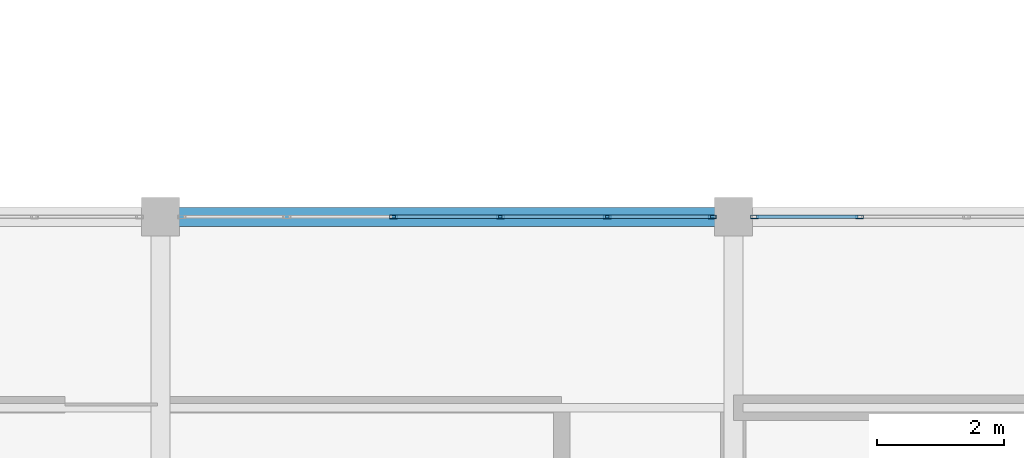
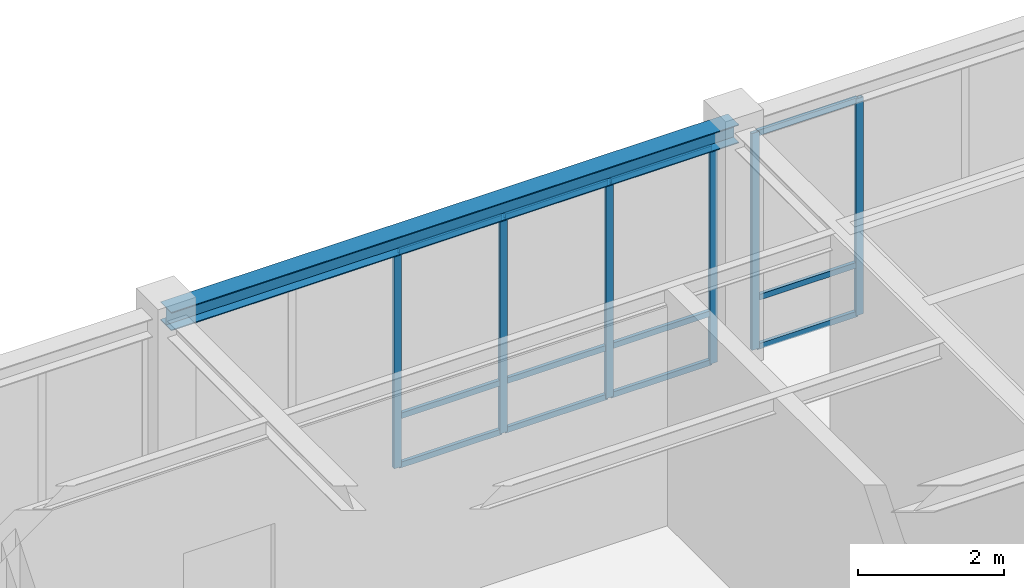
# One storey, part 50 of 130: 18 members, 1 beam, 2 elements without a shape of their own.
"""IFC4 building model written with IfcOpenShell, lengths in metres."""

from ifc_helpers import new_model, si_unit, direction, frame, origin, origin_2d, place, context, subcontext, project, spatial, hollow_rectangle, i_section, extrude, material, material_profile, profile_set, type_object, element, aggregate, save


model = new_model("IFC4")

# Units and contexts
model_context = context("Model", 3, precision=1e-05, world=origin(), true_north=direction((0.0, 1.0)))
body_context = subcontext(model_context, "Body", "Model", "MODEL_VIEW")
ifc_project = project(units=[si_unit("LENGTHUNIT", "METRE"), si_unit("AREAUNIT", "SQUARE_METRE"), si_unit("VOLUMEUNIT", "CUBIC_METRE"), si_unit("PLANEANGLEUNIT", "RADIAN"), si_unit("MASSUNIT", "GRAM", prefix="KILO")], contexts=[model_context])

# Site, building, storey
site_placement = place(None, origin())
site = spatial("IfcSite", under=ifc_project, at=site_placement, CompositionType="ELEMENT")
building_placement = place(site_placement, origin())
building = spatial("IfcBuilding", under=site, at=building_placement, Name="Lykobir Media Centre", CompositionType="ELEMENT")
storey_placement = place(building_placement, frame((0.0, 0.0, 19.199951171875)))
storey = spatial("IfcBuildingStorey", under=building, at=storey_placement, Name="L04", CompositionType="ELEMENT", Elevation=19.199951171875)

# Curtain wall, members
ifc_material_1 = material(Name="Anodized Aluminium AW-6060", Category="aluminium")
curtain_wall_type = type_object("IfcCurtainWallType", Name="CW-COURT-B", PredefinedType="NOTDEFINED", material=ifc_material_1)
curtain_wall_1_placement = place(storey_placement, origin())
curtain_wall_1 = element("IfcCurtainWall", 1, at=curtain_wall_1_placement, inside=storey, type_object=curtain_wall_type, Name="Curtain wall CW2-L04-0170", PredefinedType="NOTDEFINED")
ifc_material_profile_1 = material_profile(ifc_material_1, hollow_rectangle(XDim=0.054931640625, YDim=0.1201171875, WallThickness=0.003173828125, at=origin_2d()), Name="ALU MULLION 55x120")
ifc_profile_set_1 = profile_set([ifc_material_profile_1], Name="Anodized Aluminium AW-6060")
member_type_1 = type_object("IfcMemberType", Name="CWM-120", PredefinedType="MULLION", material=ifc_profile_set_1)
member_1_placement = place(storey_placement, frame((111.660888671875, 18.0, 0.0), z_axis=(0.0, 0.0, 1.0), x_axis=(0.0, 1.0, 0.0)))
member_1 = element("IfcMember", 2, at=member_1_placement, type_object=member_type_1, Name="CW2-L04-0170 mullion 3", PredefinedType="MULLION", context=body_context, shape_type="SweptSolid", body=[
    extrude(hollow_rectangle(XDim=0.054931640625, YDim=0.1201171875, WallThickness=0.003173828125, at=origin_2d()), origin(), (0.0, 0.0, 1.0), 3.635009765625),
])
member_2_placement = place(storey_placement, frame((113.339111328125, 18.0, 0.0), z_axis=(0.0, 0.0, 1.0), x_axis=(0.0, 1.0, 0.0)))
member_2 = element("IfcMember", 3, at=member_2_placement, type_object=member_type_1, Name="CW2-L04-0170 mullion 4", PredefinedType="MULLION", context=body_context, shape_type="SweptSolid", body=[
    extrude(hollow_rectangle(XDim=0.054931640625, YDim=0.1201171875, WallThickness=0.003173828125, at=origin_2d()), origin(), (0.0, 0.0, 1.0), 3.635009765625),
])
member_3_placement = place(storey_placement, frame((115.01708984375, 18.0, 0.0), z_axis=(0.0, 0.0, 1.0), x_axis=(0.0, 1.0, 0.0)))
member_3 = element("IfcMember", 4, at=member_3_placement, type_object=member_type_1, Name="CW2-L04-0170 mullion 5", PredefinedType="MULLION", context=body_context, shape_type="SweptSolid", body=[
    extrude(hollow_rectangle(XDim=0.054931640625, YDim=0.1201171875, WallThickness=0.003173828125, at=origin_2d()), origin(), (0.0, 0.0, 1.0), 3.635009765625),
])
member_4_placement = place(storey_placement, frame((116.66748046875, 18.0, 0.0), z_axis=(0.0, 0.0, 1.0), x_axis=(0.0, 1.0, 0.0)))
member_4 = element("IfcMember", 5, at=member_4_placement, type_object=member_type_1, Name="CW2-L04-0170 mullion 6", PredefinedType="MULLION", context=body_context, shape_type="SweptSolid", body=[
    extrude(hollow_rectangle(XDim=0.054931640625, YDim=0.1201171875, WallThickness=0.003173828125, at=origin_2d()), origin(), (0.0, 0.0, 1.0), 3.635009765625),
])

curtain_wall_2_placement = place(storey_placement, origin())
curtain_wall_2 = element("IfcCurtainWall", 6, at=curtain_wall_2_placement, inside=storey, type_object=curtain_wall_type, Name="Curtain wall CW2-L04-0171", PredefinedType="NOTDEFINED")
member_5_placement = place(storey_placement, frame((117.33251953125, 18.0, 0.0), z_axis=(0.0, 0.0, 1.0), x_axis=(0.0, 1.0, 0.0)))
member_5 = element("IfcMember", 7, at=member_5_placement, type_object=member_type_1, Name="CW2-L04-0171 mullion 1", PredefinedType="MULLION", context=body_context, shape_type="SweptSolid", body=[
    extrude(hollow_rectangle(XDim=0.054931640625, YDim=0.1201171875, WallThickness=0.003173828125, at=origin_2d()), origin(), (0.0, 0.0, 1.0), 3.635009765625),
])
member_6_placement = place(storey_placement, frame((118.98291015625, 18.0, 0.0), z_axis=(0.0, 0.0, 1.0), x_axis=(0.0, 1.0, 0.0)))
member_6 = element("IfcMember", 8, at=member_6_placement, type_object=member_type_1, Name="CW2-L04-0171 mullion 2", PredefinedType="MULLION", context=body_context, shape_type="SweptSolid", body=[
    extrude(hollow_rectangle(XDim=0.054931640625, YDim=0.1201171875, WallThickness=0.003173828125, at=origin_2d()), origin(), (0.0, 0.0, 1.0), 3.635009765625),
])

# Member
ifc_material_profile_2 = material_profile(ifc_material_1, hollow_rectangle(XDim=0.054931640625, YDim=0.094970703125, WallThickness=0.0029296875, at=origin_2d()), Name="ALU TRANSOM 55x95")
ifc_profile_set_2 = profile_set([ifc_material_profile_2], Name="Anodized Aluminium AW-6060")
member_type_2 = type_object("IfcMemberType", Name="CWT-095", PredefinedType="USERDEFINED", material=ifc_profile_set_2)
member_7_placement = place(storey_placement, frame((111.6884765625, 18.0, 0.027587890625), z_axis=(1.0, 0.0, 0.0), x_axis=(0.0, 1.0, 0.0)))
member_7 = element("IfcMember", 9, at=member_7_placement, type_object=member_type_2, Name="CW2-L04-0170 transom 3.1", ObjectType="TRANSOM", PredefinedType="USERDEFINED", context=body_context, shape_type="SweptSolid", body=[
    extrude(hollow_rectangle(XDim=0.054931640625, YDim=0.094970703125, WallThickness=0.0029296875, at=origin_2d()), origin(), (0.0, 0.0, 1.0), 1.623046875),
])

member_8_placement = place(storey_placement, frame((111.6884765625, 18.0, 0.85009765625), z_axis=(1.0, 0.0, 0.0), x_axis=(0.0, 1.0, 0.0)))
member_8 = element("IfcMember", 10, at=member_8_placement, type_object=member_type_2, Name="CW2-L04-0170 transom 3.2", ObjectType="TRANSOM", PredefinedType="USERDEFINED", context=body_context, shape_type="SweptSolid", body=[
    extrude(hollow_rectangle(XDim=0.054931640625, YDim=0.094970703125, WallThickness=0.0029296875, at=origin_2d()), origin(), (0.0, 0.0, 1.0), 1.623046875),
])

member_9_placement = place(storey_placement, frame((111.6884765625, 18.0, 3.607666015625), z_axis=(1.0, 0.0, 0.0), x_axis=(0.0, 1.0, 0.0)))
member_9 = element("IfcMember", 11, at=member_9_placement, type_object=member_type_2, Name="CW2-L04-0170 transom 3.3", ObjectType="TRANSOM", PredefinedType="USERDEFINED", context=body_context, shape_type="SweptSolid", body=[
    extrude(hollow_rectangle(XDim=0.054931640625, YDim=0.094970703125, WallThickness=0.0029296875, at=origin_2d()), origin(), (0.0, 0.0, 1.0), 1.623046875),
])

member_10_placement = place(storey_placement, frame((113.366455078125, 18.0, 0.027587890625), z_axis=(1.0, 0.0, 0.0), x_axis=(0.0, 1.0, 0.0)))
member_10 = element("IfcMember", 12, at=member_10_placement, type_object=member_type_2, Name="CW2-L04-0170 transom 4.1", ObjectType="TRANSOM", PredefinedType="USERDEFINED", context=body_context, shape_type="SweptSolid", body=[
    extrude(hollow_rectangle(XDim=0.054931640625, YDim=0.094970703125, WallThickness=0.0029296875, at=origin_2d()), origin(), (0.0, 0.0, 1.0), 1.623046875),
])

member_11_placement = place(storey_placement, frame((113.366455078125, 18.0, 0.85009765625), z_axis=(1.0, 0.0, 0.0), x_axis=(0.0, 1.0, 0.0)))
member_11 = element("IfcMember", 13, at=member_11_placement, type_object=member_type_2, Name="CW2-L04-0170 transom 4.2", ObjectType="TRANSOM", PredefinedType="USERDEFINED", context=body_context, shape_type="SweptSolid", body=[
    extrude(hollow_rectangle(XDim=0.054931640625, YDim=0.094970703125, WallThickness=0.0029296875, at=origin_2d()), origin(), (0.0, 0.0, 1.0), 1.623046875),
])

member_12_placement = place(storey_placement, frame((113.366455078125, 18.0, 3.607666015625), z_axis=(1.0, 0.0, 0.0), x_axis=(0.0, 1.0, 0.0)))
member_12 = element("IfcMember", 14, at=member_12_placement, type_object=member_type_2, Name="CW2-L04-0170 transom 4.3", ObjectType="TRANSOM", PredefinedType="USERDEFINED", context=body_context, shape_type="SweptSolid", body=[
    extrude(hollow_rectangle(XDim=0.054931640625, YDim=0.094970703125, WallThickness=0.0029296875, at=origin_2d()), origin(), (0.0, 0.0, 1.0), 1.623046875),
])

member_13_placement = place(storey_placement, frame((115.04443359375, 18.0, 0.027587890625), z_axis=(1.0, 0.0, 0.0), x_axis=(0.0, 1.0, 0.0)))
member_13 = element("IfcMember", 15, at=member_13_placement, type_object=member_type_2, Name="CW2-L04-0170 transom 5.1", ObjectType="TRANSOM", PredefinedType="USERDEFINED", context=body_context, shape_type="SweptSolid", body=[
    extrude(hollow_rectangle(XDim=0.054931640625, YDim=0.094970703125, WallThickness=0.0029296875, at=origin_2d()), origin(), (0.0, 0.0, 1.0), 1.595458984375),
])

member_14_placement = place(storey_placement, frame((115.04443359375, 18.0, 0.85009765625), z_axis=(1.0, 0.0, 0.0), x_axis=(0.0, 1.0, 0.0)))
member_14 = element("IfcMember", 16, at=member_14_placement, type_object=member_type_2, Name="CW2-L04-0170 transom 5.2", ObjectType="TRANSOM", PredefinedType="USERDEFINED", context=body_context, shape_type="SweptSolid", body=[
    extrude(hollow_rectangle(XDim=0.054931640625, YDim=0.094970703125, WallThickness=0.0029296875, at=origin_2d()), origin(), (0.0, 0.0, 1.0), 1.595458984375),
])

member_15_placement = place(storey_placement, frame((115.04443359375, 18.0, 3.607666015625), z_axis=(1.0, 0.0, 0.0), x_axis=(0.0, 1.0, 0.0)))
member_15 = element("IfcMember", 17, at=member_15_placement, type_object=member_type_2, Name="CW2-L04-0170 transom 5.3", ObjectType="TRANSOM", PredefinedType="USERDEFINED", context=body_context, shape_type="SweptSolid", body=[
    extrude(hollow_rectangle(XDim=0.054931640625, YDim=0.094970703125, WallThickness=0.0029296875, at=origin_2d()), origin(), (0.0, 0.0, 1.0), 1.595458984375),
])

aggregate(curtain_wall_1, [member_1, member_2, member_3, member_4, member_7, member_8, member_9, member_10, member_11, member_12, member_13, member_14, member_15])

member_16_placement = place(storey_placement, frame((117.360107421875, 18.0, 0.027587890625), z_axis=(1.0, 0.0, 0.0), x_axis=(0.0, 1.0, 0.0)))
member_16 = element("IfcMember", 18, at=member_16_placement, type_object=member_type_2, Name="CW2-L04-0171 transom 1.1", ObjectType="TRANSOM", PredefinedType="USERDEFINED", context=body_context, shape_type="SweptSolid", body=[
    extrude(hollow_rectangle(XDim=0.054931640625, YDim=0.094970703125, WallThickness=0.0029296875, at=origin_2d()), origin(), (0.0, 0.0, 1.0), 1.595458984375),
])

member_17_placement = place(storey_placement, frame((117.360107421875, 18.0, 0.85009765625), z_axis=(1.0, 0.0, 0.0), x_axis=(0.0, 1.0, 0.0)))
member_17 = element("IfcMember", 19, at=member_17_placement, type_object=member_type_2, Name="CW2-L04-0171 transom 1.2", ObjectType="TRANSOM", PredefinedType="USERDEFINED", context=body_context, shape_type="SweptSolid", body=[
    extrude(hollow_rectangle(XDim=0.054931640625, YDim=0.094970703125, WallThickness=0.0029296875, at=origin_2d()), origin(), (0.0, 0.0, 1.0), 1.595458984375),
])

member_18_placement = place(storey_placement, frame((117.360107421875, 18.0, 3.607666015625), z_axis=(1.0, 0.0, 0.0), x_axis=(0.0, 1.0, 0.0)))
member_18 = element("IfcMember", 20, at=member_18_placement, type_object=member_type_2, Name="CW2-L04-0171 transom 1.3", ObjectType="TRANSOM", PredefinedType="USERDEFINED", context=body_context, shape_type="SweptSolid", body=[
    extrude(hollow_rectangle(XDim=0.054931640625, YDim=0.094970703125, WallThickness=0.0029296875, at=origin_2d()), origin(), (0.0, 0.0, 1.0), 1.595458984375),
])

aggregate(curtain_wall_2, [member_5, member_6, member_16, member_17, member_18])

# Beam
ifc_material_2 = material(Name="Steel S355", Category="steel")
ifc_material_profile_3 = material_profile(ifc_material_2, i_section(OverallWidth=0.300048828125, OverallDepth=0.31005859375, WebThickness=0.009033203125, FlangeThickness=0.015380859375, at=origin_2d()), Name="HEA 320")
ifc_profile_set_3 = profile_set([ifc_material_profile_3], Name="Steel S355")
beam_type = type_object("IfcBeamType", Name="SP-HEA320", PredefinedType="SPANDREL", material=ifc_profile_set_3)
beam_placement = place(storey_placement, frame((108.0, 18.0, 3.804931640625), z_axis=(1.0, 0.0, 0.0), x_axis=(0.0, 1.0, 0.0)))
element("IfcBeam", 21, at=beam_placement, inside=storey, type_object=beam_type, Name="Beam BM-L04-1080-0180-1170-0180-2300", PredefinedType="SPANDREL", context=body_context, shape_type="SweptSolid", body=[
    extrude(i_section(OverallWidth=0.300048828125, OverallDepth=0.31005859375, WebThickness=0.009033203125, FlangeThickness=0.015380859375, at=origin_2d()), origin(), (0.0, 0.0, 1.0), 9.0),
])

save(model, "model.ifc")
